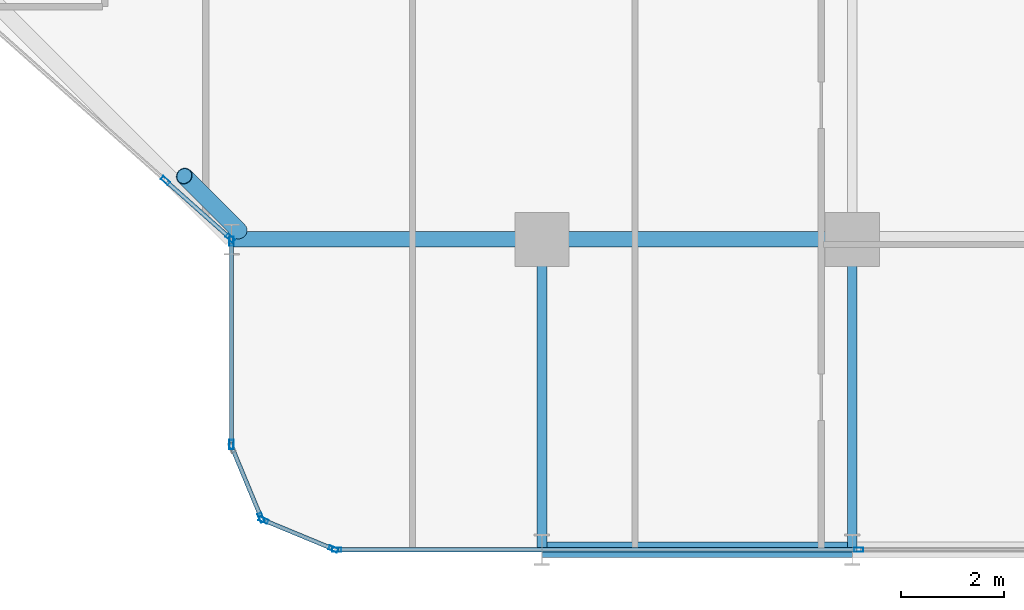
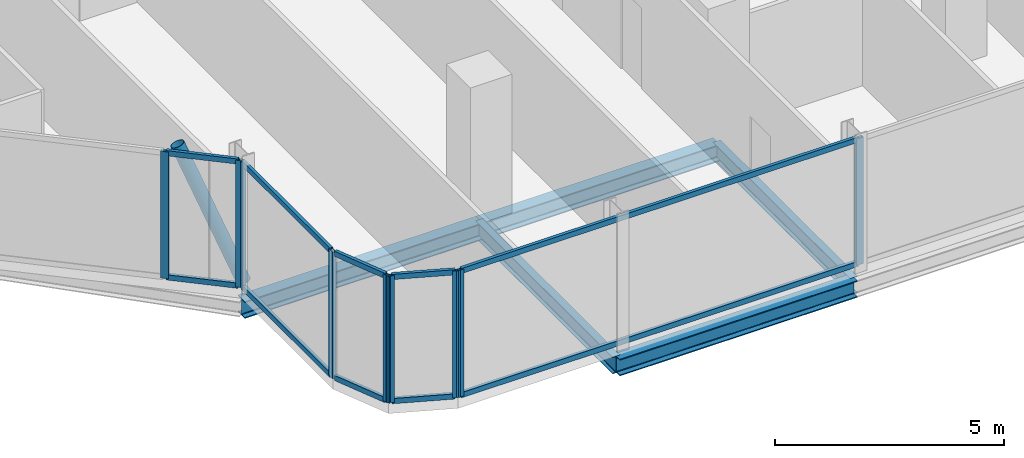
# One storey, part 4 of 30: 20 members, 5 beams, 5 elements without a shape of their own.
"""IFC4 building model written with IfcOpenShell, lengths in metres."""

from ifc_helpers import new_model, si_unit, direction, frame, origin, origin_2d, place, context, subcontext, project, spatial, hollow_rectangle, hollow_circle, i_section, extrude, material, layer, layer_set, material_profile, profile_set, type_object, element, aggregate, save


model = new_model("IFC4")

# Units and contexts
model_context = context("Model", 3, precision=1e-05, world=origin(), true_north=direction((0.0, 1.0)))
body_context = subcontext(model_context, "Body", "Model", "MODEL_VIEW")
ifc_project = project(units=[si_unit("LENGTHUNIT", "METRE"), si_unit("AREAUNIT", "SQUARE_METRE"), si_unit("VOLUMEUNIT", "CUBIC_METRE"), si_unit("PLANEANGLEUNIT", "RADIAN"), si_unit("MASSUNIT", "GRAM", prefix="KILO")], contexts=[model_context])

# Site, building, storey
site_placement = place(None, origin())
site = spatial("IfcSite", under=ifc_project, at=site_placement, CompositionType="ELEMENT")
building_placement = place(site_placement, origin())
building = spatial("IfcBuilding", under=site, at=building_placement, Name="Keshet Zoharim Tower", CompositionType="ELEMENT")
storey_placement = place(building_placement, frame((0.0, 0.0, 113.10009765625)))
storey = spatial("IfcBuildingStorey", under=building, at=storey_placement, Name="L27", CompositionType="ELEMENT", Elevation=113.10009765625)

# Beams
ifc_material_1 = material(Name="Steel S355", Category="steel")
ifc_material_profile_1 = material_profile(ifc_material_1, i_section(OverallWidth=0.18994140625, OverallDepth=0.449951171875, WebThickness=0.009521484375, FlangeThickness=0.0146484375, FilletRadius=0.02099609375, at=origin_2d()), Name="IPE450")
ifc_profile_set_1 = profile_set([ifc_material_profile_1], Name="Steel S355")
beam_type_1 = type_object("IfcBeamType", Name="BM-PRI-IP450", PredefinedType="BEAM", material=ifc_profile_set_1)
for number, where, z_axis, x_axis, name in (
    (1, (27.0, 0.699951171875, -0.5400390625), (0.0, 1.0, 0.0), (-1.0, 0.0, 0.0), "L27 Primary Girder Y-004"),
    (2, (33.0, 0.699951171875, -0.5400390625), (0.0, 1.0, 0.0), (-1.0, 0.0, 0.0), "L27 Primary Girder Y-005"),
):
    element("IfcBeam", number, at=place(storey_placement, frame(where, z_axis=z_axis, x_axis=x_axis)), inside=storey, type_object=beam_type_1, Name=name, PredefinedType="BEAM", context=body_context, shape_type="SweptSolid", body=[
        extrude(i_section(OverallWidth=0.18994140625, OverallDepth=0.449951171875, WebThickness=0.009521484375, FlangeThickness=0.0146484375, FilletRadius=0.02099609375, at=origin_2d()), origin(), (0.0, 0.0, 1.0), 6.0),
    ])
ifc_material_profile_2 = material_profile(ifc_material_1, i_section(OverallWidth=0.300048828125, OverallDepth=0.449951171875, WebThickness=0.013916015625, FlangeThickness=0.02587890625, FilletRadius=0.027099609375, at=origin_2d()), Name="HEB450")
ifc_profile_set_2 = profile_set([ifc_material_profile_2], Name="Steel S355")
beam_type_2 = type_object("IfcBeamType", Name="BM-WEB-HB450", PredefinedType="BEAM", material=ifc_profile_set_2)
for number, where, z_axis, x_axis, name in (
    (3, (27.0, 0.699951171875, -0.5400390625), (1.0, 0.0, 0.0), (0.0, 1.0, 0.0), "L27 Primary Girder X-001"),
    (4, (21.0, 6.699951171875, -0.5400390625), (1.0, 0.0, 0.0), (0.0, 1.0, 0.0), "L27 Primary Girder X-005"),
    (5, (27.0, 6.699951171875, -0.5400390625), (1.0, 0.0, 0.0), (0.0, 1.0, 0.0), "L27 Primary Girder X-006"),
):
    element("IfcBeam", number, at=place(storey_placement, frame(where, z_axis=z_axis, x_axis=x_axis)), inside=storey, type_object=beam_type_2, Name=name, PredefinedType="BEAM", context=body_context, shape_type="SweptSolid", body=[
        extrude(i_section(OverallWidth=0.300048828125, OverallDepth=0.449951171875, WebThickness=0.013916015625, FlangeThickness=0.02587890625, FilletRadius=0.027099609375, at=origin_2d()), origin(), (0.0, 0.0, 1.0), 6.0),
    ])

# Curtain wall, members
ifc_material_2 = material(Name="Aluminium 6063-T6", Category="aluminium")
ifc_layer = layer(ifc_material_2, 0.159912109375)
ifc_layer_set = layer_set([ifc_layer], Name="Aluminium 6063-T6")
curtain_wall_type = type_object("IfcCurtainWallType", Name="CW-SYS-03", PredefinedType="NOTDEFINED", material=ifc_layer_set)
curtain_wall_1_placement = place(storey_placement, origin())
curtain_wall_1 = element("IfcCurtainWall", 6, at=curtain_wall_1_placement, inside=storey, type_object=curtain_wall_type, Name="L27 Unitised Curtain Wall 03 Part 3", PredefinedType="NOTDEFINED")
ifc_material_profile_3 = material_profile(ifc_material_2, hollow_rectangle(XDim=0.080078125, YDim=0.179931640625, WallThickness=0.00439453125, at=origin_2d()), Name="MUL-80x180")
ifc_profile_set_3 = profile_set([ifc_material_profile_3], Name="Aluminium 6063-T6")
member_type_1 = type_object("IfcMemberType", Name="CWM-M18", PredefinedType="MULLION", material=ifc_profile_set_3)
member_1_placement = place(storey_placement, frame((33.1259765625, 0.699951171875, 0.0), z_axis=(0.0, 0.0, 1.0), x_axis=(0.0, -1.0, 0.0)))
member_1 = element("IfcMember", 7, at=member_1_placement, type_object=member_type_1, Name="CW-03 mullion 2", PredefinedType="MULLION", context=body_context, shape_type="SweptSolid", body=[
    extrude(hollow_rectangle(XDim=0.080078125, YDim=0.179931640625, WallThickness=0.00439453125, at=origin_2d()), origin(), (0.0, 0.0, 1.0), 3.385009765625),
])
member_2_placement = place(storey_placement, frame((23.034912109375, 0.699951171875, 0.0), z_axis=(0.0, 0.0, 1.0), x_axis=(0.0, -1.0, 0.0)))
member_2 = element("IfcMember", 8, at=member_2_placement, type_object=member_type_1, Name="CW-03 mullion 3", PredefinedType="MULLION", context=body_context, shape_type="SweptSolid", body=[
    extrude(hollow_rectangle(XDim=0.080078125, YDim=0.179931640625, WallThickness=0.00439453125, at=origin_2d()), origin(), (0.0, 0.0, 1.0), 3.385009765625),
])

curtain_wall_2_placement = place(storey_placement, origin())
curtain_wall_2 = element("IfcCurtainWall", 9, at=curtain_wall_2_placement, inside=storey, type_object=curtain_wall_type, Name="L27 Unitised Curtain Wall 04", PredefinedType="NOTDEFINED")
member_3_placement = place(storey_placement, frame((22.9677734375, 0.71337890625, 0.0), z_axis=(0.0, 0.0, 1.0), x_axis=(-0.382851849847, -0.92380975372, 0.0)))
member_3 = element("IfcMember", 10, at=member_3_placement, type_object=member_type_1, Name="CW-03 mullion 1", PredefinedType="MULLION", context=body_context, shape_type="SweptSolid", body=[
    extrude(hollow_rectangle(XDim=0.080078125, YDim=0.179931640625, WallThickness=0.00439453125, at=origin_2d()), origin(), (0.0, 0.0, 1.0), 3.385009765625),
])
member_4_placement = place(storey_placement, frame((21.618408203125, 1.272705078125, 0.0), z_axis=(0.0, 0.0, 1.0), x_axis=(-0.382851849847, -0.92380975372, 0.0)))
member_4 = element("IfcMember", 11, at=member_4_placement, type_object=member_type_1, Name="CW-03 mullion 2", PredefinedType="MULLION", context=body_context, shape_type="SweptSolid", body=[
    extrude(hollow_rectangle(XDim=0.080078125, YDim=0.179931640625, WallThickness=0.00439453125, at=origin_2d()), origin(), (0.0, 0.0, 1.0), 3.385009765625),
])

# Curtain wall, member
curtain_wall_3_placement = place(storey_placement, origin())
curtain_wall_3 = element("IfcCurtainWall", 12, at=curtain_wall_3_placement, inside=storey, type_object=curtain_wall_type, Name="L27 Unitised Curtain Wall 05", PredefinedType="NOTDEFINED")
member_5_placement = place(storey_placement, frame((21.572509765625, 1.318359375, 0.0), z_axis=(0.0, 0.0, 1.0), x_axis=(-0.92380975372, -0.382851849847, 0.0)))
member_5 = element("IfcMember", 13, at=member_5_placement, type_object=member_type_1, Name="CW-03 mullion 1", PredefinedType="MULLION", context=body_context, shape_type="SweptSolid", body=[
    extrude(hollow_rectangle(XDim=0.080078125, YDim=0.179931640625, WallThickness=0.00439453125, at=origin_2d()), origin(), (0.0, 0.0, 1.0), 3.385009765625),
])

# Curtain wall, members
curtain_wall_4_placement = place(storey_placement, origin())
curtain_wall_4 = element("IfcCurtainWall", 14, at=curtain_wall_4_placement, inside=storey, type_object=curtain_wall_type, Name="L27 Unitised Curtain Wall 06", PredefinedType="NOTDEFINED")
member_6_placement = place(storey_placement, frame((21.0, 2.735107421875, 0.0), z_axis=(0.0, 0.0, 1.0), x_axis=(-1.0, 0.0, 0.0)))
member_6 = element("IfcMember", 15, at=member_6_placement, type_object=member_type_1, Name="CW-03 mullion 1", PredefinedType="MULLION", context=body_context, shape_type="SweptSolid", body=[
    extrude(hollow_rectangle(XDim=0.080078125, YDim=0.179931640625, WallThickness=0.00439453125, at=origin_2d()), origin(), (0.0, 0.0, 1.0), 3.385009765625),
])
member_7_placement = place(storey_placement, frame((21.0, 6.6650390625, 0.0), z_axis=(0.0, 0.0, 1.0), x_axis=(-1.0, 0.0, 0.0)))
member_7 = element("IfcMember", 16, at=member_7_placement, type_object=member_type_1, Name="CW-03 mullion 2", PredefinedType="MULLION", context=body_context, shape_type="SweptSolid", body=[
    extrude(hollow_rectangle(XDim=0.080078125, YDim=0.179931640625, WallThickness=0.00439453125, at=origin_2d()), origin(), (0.0, 0.0, 1.0), 3.385009765625),
])

curtain_wall_5_placement = place(storey_placement, origin())
curtain_wall_5 = element("IfcCurtainWall", 17, at=curtain_wall_5_placement, inside=storey, type_object=curtain_wall_type, Name="L27 Unitised Curtain Wall 07", PredefinedType="NOTDEFINED")
member_8_placement = place(storey_placement, frame((20.973876953125, 6.72314453125, 0.0), z_axis=(0.0, 0.0, 1.0), x_axis=(-0.664388725561, -0.747387196403, 0.0)))
member_8 = element("IfcMember", 18, at=member_8_placement, type_object=member_type_1, Name="CW-03 mullion 1", PredefinedType="MULLION", context=body_context, shape_type="SweptSolid", body=[
    extrude(hollow_rectangle(XDim=0.080078125, YDim=0.179931640625, WallThickness=0.00439453125, at=origin_2d()), origin(), (0.0, 0.0, 1.0), 3.385009765625),
])
member_9_placement = place(storey_placement, frame((19.721435546875, 7.836669921875, 0.0), z_axis=(0.0, 0.0, 1.0), x_axis=(-0.664388725561, -0.747387196403, 0.0)))
member_9 = element("IfcMember", 19, at=member_9_placement, type_object=member_type_1, Name="CW-03 mullion 2", PredefinedType="MULLION", context=body_context, shape_type="SweptSolid", body=[
    extrude(hollow_rectangle(XDim=0.080078125, YDim=0.179931640625, WallThickness=0.00439453125, at=origin_2d()), origin(), (0.0, 0.0, 1.0), 3.385009765625),
])

# Member
ifc_material_profile_4 = material_profile(ifc_material_2, hollow_rectangle(XDim=0.080078125, YDim=0.139892578125, WallThickness=0.00390625, at=origin_2d()), Name="TRN-80x140")
ifc_profile_set_4 = profile_set([ifc_material_profile_4], Name="Aluminium 6063-T6")
member_type_2 = type_object("IfcMemberType", Name="CWT-T14", PredefinedType="USERDEFINED", material=ifc_profile_set_4)
member_10_placement = place(storey_placement, frame((33.091064453125, 0.699951171875, 0.034912109375), z_axis=(-1.0, 0.0, 0.0), x_axis=(0.0, -1.0, 0.0)))
member_10 = element("IfcMember", 20, at=member_10_placement, type_object=member_type_2, Name="CW-03 transom 2.1", ObjectType="TRANSOM", PredefinedType="USERDEFINED", context=body_context, shape_type="SweptSolid", body=[
    extrude(hollow_rectangle(XDim=0.080078125, YDim=0.139892578125, WallThickness=0.00390625, at=origin_2d()), origin(), (0.0, 0.0, 1.0), 10.02099609375),
])

member_11_placement = place(storey_placement, frame((33.091064453125, 0.699951171875, 3.349853515625), z_axis=(-1.0, 0.0, 0.0), x_axis=(0.0, -1.0, 0.0)))
member_11 = element("IfcMember", 21, at=member_11_placement, type_object=member_type_2, Name="CW-03 transom 2.2", ObjectType="TRANSOM", PredefinedType="USERDEFINED", context=body_context, shape_type="SweptSolid", body=[
    extrude(hollow_rectangle(XDim=0.080078125, YDim=0.139892578125, WallThickness=0.00390625, at=origin_2d()), origin(), (0.0, 0.0, 1.0), 10.02099609375),
])

aggregate(curtain_wall_1, [member_1, member_2, member_10, member_11])

member_12_placement = place(storey_placement, frame((22.935302734375, 0.726806640625, 0.034912109375), z_axis=(-0.92379209995, 0.382894445076, 0.0), x_axis=(-0.382894445076, -0.92379209995, 0.0)))
member_12 = element("IfcMember", 22, at=member_12_placement, type_object=member_type_2, Name="CW-03 transom 1.1", ObjectType="TRANSOM", PredefinedType="USERDEFINED", context=body_context, shape_type="SweptSolid", body=[
    extrude(hollow_rectangle(XDim=0.080078125, YDim=0.139892578125, WallThickness=0.00390625, at=origin_2d()), origin(), (0.0, 0.0, 1.0), 1.390625),
])

member_13_placement = place(storey_placement, frame((22.935302734375, 0.726806640625, 3.349853515625), z_axis=(-0.92379209995, 0.382894445076, 0.0), x_axis=(-0.382894445076, -0.92379209995, 0.0)))
member_13 = element("IfcMember", 23, at=member_13_placement, type_object=member_type_2, Name="CW-03 transom 1.2", ObjectType="TRANSOM", PredefinedType="USERDEFINED", context=body_context, shape_type="SweptSolid", body=[
    extrude(hollow_rectangle(XDim=0.080078125, YDim=0.139892578125, WallThickness=0.00390625, at=origin_2d()), origin(), (0.0, 0.0, 1.0), 1.390625),
])

aggregate(curtain_wall_2, [member_3, member_4, member_12, member_13])

member_14_placement = place(storey_placement, frame((21.55908203125, 1.3505859375, 0.034912109375), z_axis=(-0.382744609247, 0.923854189844, 0.0), x_axis=(-0.923854189844, -0.382744609247, 0.0)))
member_14 = element("IfcMember", 24, at=member_14_placement, type_object=member_type_2, Name="CW-03 transom 1.1", ObjectType="TRANSOM", PredefinedType="USERDEFINED", context=body_context, shape_type="SweptSolid", body=[
    extrude(hollow_rectangle(XDim=0.080078125, YDim=0.139892578125, WallThickness=0.00390625, at=origin_2d()), origin(), (0.0, 0.0, 1.0), 1.390625),
])

member_15_placement = place(storey_placement, frame((21.55908203125, 1.3505859375, 3.349853515625), z_axis=(-0.382744609247, 0.923854189844, 0.0), x_axis=(-0.923854189844, -0.382744609247, 0.0)))
member_15 = element("IfcMember", 25, at=member_15_placement, type_object=member_type_2, Name="CW-03 transom 1.2", ObjectType="TRANSOM", PredefinedType="USERDEFINED", context=body_context, shape_type="SweptSolid", body=[
    extrude(hollow_rectangle(XDim=0.080078125, YDim=0.139892578125, WallThickness=0.00390625, at=origin_2d()), origin(), (0.0, 0.0, 1.0), 1.390625),
])

aggregate(curtain_wall_3, [member_5, member_14, member_15])

member_16_placement = place(storey_placement, frame((21.0, 2.77001953125, 0.034912109375), z_axis=(0.0, 1.0, 0.0), x_axis=(-1.0, 0.0, 0.0)))
member_16 = element("IfcMember", 26, at=member_16_placement, type_object=member_type_2, Name="CW-03 transom 1.1", ObjectType="TRANSOM", PredefinedType="USERDEFINED", context=body_context, shape_type="SweptSolid", body=[
    extrude(hollow_rectangle(XDim=0.080078125, YDim=0.139892578125, WallThickness=0.00390625, at=origin_2d()), origin(), (0.0, 0.0, 1.0), 3.85986328125),
])

member_17_placement = place(storey_placement, frame((21.0, 2.77001953125, 3.349853515625), z_axis=(0.0, 1.0, 0.0), x_axis=(-1.0, 0.0, 0.0)))
member_17 = element("IfcMember", 27, at=member_17_placement, type_object=member_type_2, Name="CW-03 transom 1.2", ObjectType="TRANSOM", PredefinedType="USERDEFINED", context=body_context, shape_type="SweptSolid", body=[
    extrude(hollow_rectangle(XDim=0.080078125, YDim=0.139892578125, WallThickness=0.00390625, at=origin_2d()), origin(), (0.0, 0.0, 1.0), 3.85986328125),
])

aggregate(curtain_wall_4, [member_6, member_7, member_16, member_17])

member_18_placement = place(storey_placement, frame((20.94775390625, 6.74658203125, 0.034912109375), z_axis=(-0.747392542428, 0.664382711638, 0.0), x_axis=(-0.664382711638, -0.747392542428, 0.0)))
member_18 = element("IfcMember", 28, at=member_18_placement, type_object=member_type_2, Name="CW-03 transom 1.1", ObjectType="TRANSOM", PredefinedType="USERDEFINED", context=body_context, shape_type="SweptSolid", body=[
    extrude(hollow_rectangle(XDim=0.080078125, YDim=0.139892578125, WallThickness=0.00390625, at=origin_2d()), origin(), (0.0, 0.0, 1.0), 1.60595703125),
])

member_19_placement = place(storey_placement, frame((20.94775390625, 6.74658203125, 3.349853515625), z_axis=(-0.747392542428, 0.664382711638, 0.0), x_axis=(-0.664382711638, -0.747392542428, 0.0)))
member_19 = element("IfcMember", 29, at=member_19_placement, type_object=member_type_2, Name="CW-03 transom 1.2", ObjectType="TRANSOM", PredefinedType="USERDEFINED", context=body_context, shape_type="SweptSolid", body=[
    extrude(hollow_rectangle(XDim=0.080078125, YDim=0.139892578125, WallThickness=0.00390625, at=origin_2d()), origin(), (0.0, 0.0, 1.0), 1.60595703125),
])

aggregate(curtain_wall_5, [member_8, member_9, member_18, member_19])

ifc_material_profile_5 = material_profile(ifc_material_1, hollow_circle(Radius=0.161865234375, WallThickness=0.012451171875, at=origin_2d()), Name="CHS323x12.5")
ifc_profile_set_5 = profile_set([ifc_material_profile_5], Name="Steel S355")
member_type_3 = type_object("IfcMemberType", Name="MB-BR-C323", PredefinedType="BRACE", material=ifc_profile_set_5)
member_20_placement = place(storey_placement, frame((21.14599609375, 6.864013671875, 0.0), z_axis=(-0.286558246199, 0.286558246199, 0.914203884848), x_axis=(-0.707106781187, -0.707106781187, 0.0)))
element("IfcMember", 30, at=member_20_placement, inside=storey, type_object=member_type_3, Name="L27 Perimeter Tube Brace 01", PredefinedType="BRACE", context=body_context, shape_type="SweptSolid", body=[
    extrude(hollow_circle(Radius=0.161865234375, WallThickness=0.012451171875, at=origin_2d()), origin(), (0.0, 0.0, 1.0), 3.70263671875),
])

save(model, "model.ifc")
